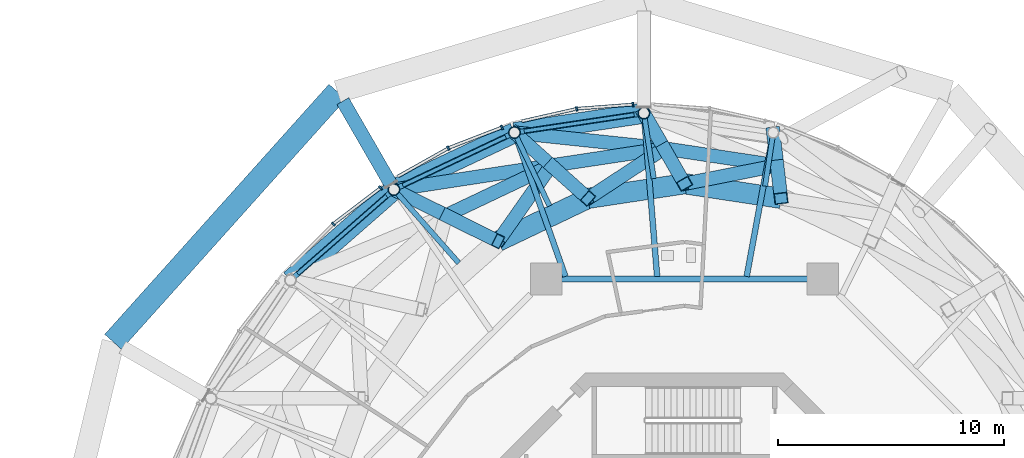
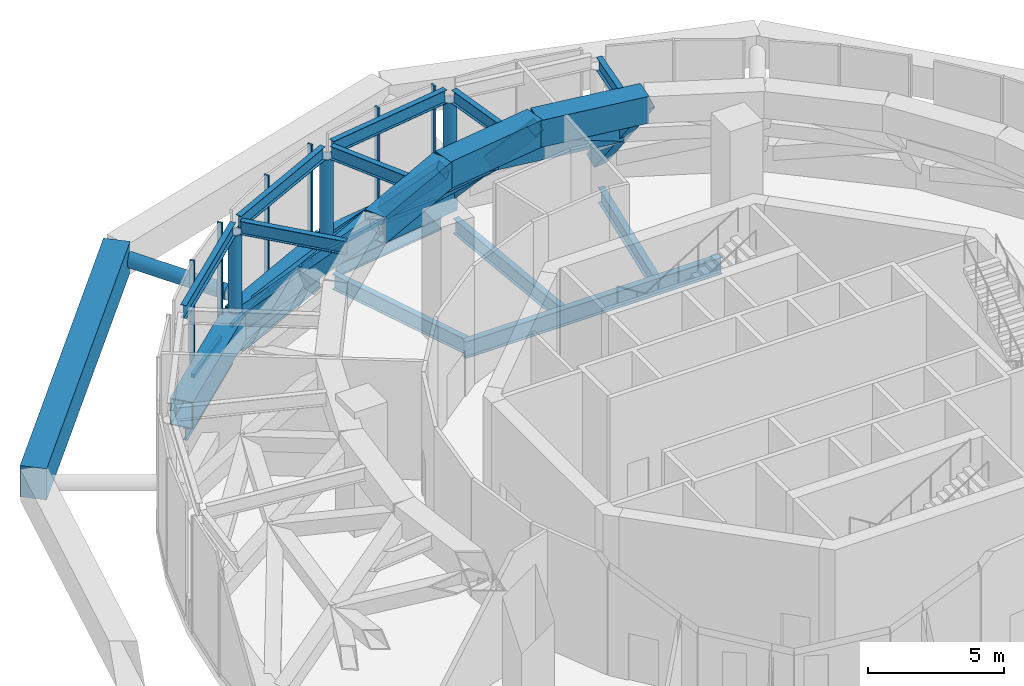
# One storey, part 8 of 22: 36 beams, 16 members, 6 elements without a shape of their own.
"""IFC4 building model written with IfcOpenShell, lengths in metres."""

from ifc_helpers import new_model, si_unit, direction, frame, origin, origin_2d, place, context, subcontext, project, spatial, rectangle, hollow_rectangle, hollow_circle, i_section, extrude, material, layer, layer_set, material_profile, profile_set, type_object, element, aggregate, save


model = new_model("IFC4")

# Units and contexts
model_context = context("Model", 3, precision=1e-05, world=origin(), true_north=direction((0.0, 1.0)))
body_context = subcontext(model_context, "Body", "Model", "MODEL_VIEW")
ifc_project = project(units=[si_unit("LENGTHUNIT", "METRE"), si_unit("AREAUNIT", "SQUARE_METRE"), si_unit("VOLUMEUNIT", "CUBIC_METRE"), si_unit("PLANEANGLEUNIT", "RADIAN"), si_unit("MASSUNIT", "GRAM", prefix="KILO")], contexts=[model_context])

# Site, building, storey
site_placement = place(None, origin())
site = spatial("IfcSite", under=ifc_project, at=site_placement, CompositionType="ELEMENT")
building_placement = place(site_placement, origin())
building = spatial("IfcBuilding", under=site, at=building_placement, Name="Nagisa Residences", CompositionType="ELEMENT")
storey_placement = place(building_placement, frame((0.0, 0.0, 310.300048828125)))
storey = spatial("IfcBuildingStorey", under=building, at=storey_placement, Name="L77", CompositionType="ELEMENT", Elevation=310.300048828125)

# Beams
ifc_material_1 = material(Name="Steel ASTM A572 Gr 50", Category="steel")
ifc_material_profile_1 = material_profile(ifc_material_1, hollow_rectangle(XDim=0.60009765625, YDim=0.60009765625, WallThickness=0.034912109375, at=origin_2d()), Name="BX 600x600x35")
ifc_profile_set_1 = profile_set([ifc_material_profile_1], Name="Steel ASTM A572 Gr 50")
beam_type_1 = type_object("IfcBeamType", Name="Belt chord 6 BX 600x600x35", PredefinedType="BEAM", material=ifc_profile_set_1)
for number, where, z_axis, x_axis, name in (
    (1, (4.097900390625, 19.807373046875, 2.64990234375), (-0.988820193793, 0.149112790691, 0.0), (-0.149112790691, -0.988820193793, 0.0), "beam:L77:bt6m06"),
    (2, (-0.89990234375, 20.56103515625, 2.64990234375), (-0.988820193793, -0.149112790691, 0.0), (0.149112790691, -0.988820193793, 0.0), "beam:L77:bt6m07"),
):
    element("IfcBeam", number, at=place(storey_placement, frame(where, z_axis=z_axis, x_axis=x_axis)), inside=storey, type_object=beam_type_1, Name=name, PredefinedType="BEAM", context=body_context, shape_type="SweptSolid", body=[
        extrude(hollow_rectangle(XDim=0.60009765625, YDim=0.60009765625, WallThickness=0.034912109375, at=origin_2d()), origin(), (0.0, 0.0, 1.0), 5.05419921875),
    ])
beam_1_placement = place(storey_placement, frame((-5.897705078125, 19.807373046875, 2.64990234375), z_axis=(-0.903462807489, -0.428666485143, 0.0), x_axis=(0.428666485143, -0.903462807489, 0.0)))
element("IfcBeam", 3, at=beam_1_placement, inside=storey, type_object=beam_type_1, Name="beam:L77:bt6m08", PredefinedType="BEAM", context=body_context, shape_type="SweptSolid", body=[
    extrude(hollow_rectangle(XDim=0.60009765625, YDim=0.60009765625, WallThickness=0.034912109375, at=origin_2d()), origin(), (0.0, 0.0, 1.0), 5.15478515625),
])
ifc_material_2 = material(Name="Steel ASTM A572 Gr 50", Category="steel")
ifc_material_profile_2 = material_profile(ifc_material_2, hollow_rectangle(XDim=0.89990234375, YDim=1.199951171875, WallThickness=0.0400390625, at=origin_2d()), Name="BX 900x1200x40")
ifc_profile_set_2 = profile_set([ifc_material_profile_2], Name="Steel ASTM A572 Gr 50")
beam_type_2 = type_object("IfcBeamType", Name="Belt chord 6 BX 900x1200x40", PredefinedType="BEAM", material=ifc_profile_set_2)
beam_2_placement = place(storey_placement, frame((4.2705078125, 18.3525390625, 4.699951171875), z_axis=(-0.988701292906, 0.149899144111, 0.0), x_axis=(-0.149899144111, -0.988701292906, 0.0)))
element("IfcBeam", 4, at=beam_2_placement, inside=storey, type_object=beam_type_2, Name="beam:L77:bt6t06", PredefinedType="BEAM", context=body_context, shape_type="SweptSolid", body=[
    extrude(hollow_rectangle(XDim=0.89990234375, YDim=1.199951171875, WallThickness=0.0400390625, at=origin_2d()), origin(), (0.0, 0.0, 1.0), 4.3193359375),
])
beam_3_placement = place(storey_placement, frame((-1.800048828125, 22.122314453125, 0.599853515625), z_axis=(-0.988902301615, -0.148567283948, 0.0), x_axis=(0.148567283948, -0.988902301615, 0.0)))
element("IfcBeam", 5, at=beam_3_placement, inside=storey, type_object=beam_type_2, Name="beam:L77:bt6b07", PredefinedType="BEAM", context=body_context, shape_type="SweptSolid", body=[
    extrude(hollow_rectangle(XDim=0.89990234375, YDim=1.199951171875, WallThickness=0.0400390625, at=origin_2d()), origin(), (0.0, 0.0, 1.0), 5.789306640625),
])
beam_4_placement = place(storey_placement, frame((0.0, 19.0, 4.699951171875), z_axis=(-0.988701292906, -0.149899144111, 0.0), x_axis=(0.149899144111, -0.988701292906, 0.0)))
element("IfcBeam", 6, at=beam_4_placement, inside=storey, type_object=beam_type_2, Name="beam:L77:bt6t07", PredefinedType="BEAM", context=body_context, shape_type="SweptSolid", body=[
    extrude(hollow_rectangle(XDim=0.89990234375, YDim=1.199951171875, WallThickness=0.0400390625, at=origin_2d()), origin(), (0.0, 0.0, 1.0), 4.3193359375),
])
beam_5_placement = place(storey_placement, frame((-7.525146484375, 21.26220703125, 0.599853515625), z_axis=(-0.904104817547, -0.427310752134, 0.0), x_axis=(0.427310752134, -0.904104817547, 0.0)))
element("IfcBeam", 7, at=beam_5_placement, inside=storey, type_object=beam_type_2, Name="beam:L77:bt6b08", PredefinedType="BEAM", context=body_context, shape_type="SweptSolid", body=[
    extrude(hollow_rectangle(XDim=0.89990234375, YDim=1.199951171875, WallThickness=0.0400390625, at=origin_2d()), origin(), (0.0, 0.0, 1.0), 5.90087890625),
])
beam_6_placement = place(storey_placement, frame((-4.2705078125, 18.3525390625, 4.699951171875), z_axis=(-0.902600371107, -0.430479465337, 0.0), x_axis=(0.430479465337, -0.902600371107, 0.0)))
element("IfcBeam", 8, at=beam_6_placement, inside=storey, type_object=beam_type_2, Name="beam:L77:bt6t08", PredefinedType="BEAM", context=body_context, shape_type="SweptSolid", body=[
    extrude(hollow_rectangle(XDim=0.89990234375, YDim=1.199951171875, WallThickness=0.0400390625, at=origin_2d()), origin(), (0.0, 0.0, 1.0), 4.408935546875),
])
beam_7_placement = place(storey_placement, frame((-12.860107421875, 18.74072265625, 0.599853515625), z_axis=(-0.752368013949, -0.658743023938, 0.0), x_axis=(0.658743023938, -0.752368013949, 0.0)))
element("IfcBeam", 9, at=beam_7_placement, inside=storey, type_object=beam_type_2, Name="beam:L77:bt6b09", PredefinedType="BEAM", context=body_context, shape_type="SweptSolid", body=[
    extrude(hollow_rectangle(XDim=0.89990234375, YDim=1.199951171875, WallThickness=0.0400390625, at=origin_2d()), origin(), (0.0, 0.0, 1.0), 6.0888671875),
])
ifc_material_3 = material(Name="Steel ASTM A572 Gr 50", Category="steel")
ifc_material_profile_3 = material_profile(ifc_material_3, hollow_rectangle(XDim=0.60009765625, YDim=0.60009765625, WallThickness=0.034912109375, at=origin_2d()), Name="BX 600x600x35")
ifc_profile_set_3 = profile_set([ifc_material_profile_3], Name="Steel ASTM A572 Gr 50")
beam_type_3 = type_object("IfcBeamType", Name="Belt diagonal 6 BX 600x600x35", PredefinedType="BEAM", material=ifc_profile_set_3)
for number, where, z_axis, x_axis, name in (
    (10, (3.925048828125, 21.26220703125, 0.599853515625), (0.068598804864, -0.577373274275, 0.813593452607), (0.993015725956, 0.11798206645, 0.0), "beam:L77:bt6la06"),
    (11, (4.097900390625, 19.807373046875, 2.64990234375), (0.068502368885, -0.577377109174, 0.813598856476), (0.993035236117, 0.117817739878, 0.0), "beam:L77:bt6ua06"),
):
    element("IfcBeam", number, at=place(storey_placement, frame(where, z_axis=z_axis, x_axis=x_axis)), inside=storey, type_object=beam_type_3, Name=name, PredefinedType="BEAM", context=body_context, shape_type="SweptSolid", body=[
        extrude(hollow_rectangle(XDim=0.60009765625, YDim=0.60009765625, WallThickness=0.034912109375, at=origin_2d()), origin(), (0.0, 0.0, 1.0), 2.519775390625),
    ])
beam_8_placement = place(storey_placement, frame((4.097900390625, 19.807373046875, 2.64990234375), z_axis=(-0.880763154021, -0.173528969339, 0.440617706543), x_axis=(0.193305074766, -0.981138699711, 0.0)))
element("IfcBeam", 12, at=beam_8_placement, inside=storey, type_object=beam_type_3, Name="beam:L77:bt6ub06", PredefinedType="BEAM", context=body_context, shape_type="SweptSolid", body=[
    extrude(hollow_rectangle(XDim=0.60009765625, YDim=0.60009765625, WallThickness=0.034912109375, at=origin_2d()), origin(), (0.0, 0.0, 1.0), 4.652587890625),
])
beam_9_placement = place(storey_placement, frame((-1.800048828125, 22.122314453125, 0.599853515625), z_axis=(0.329775829006, -0.571987096961, 0.751051704954), x_axis=(0.866327636169, 0.499476152393, 0.0)))
element("IfcBeam", 13, at=beam_9_placement, inside=storey, type_object=beam_type_3, Name="beam:L77:bt6la07", PredefinedType="BEAM", context=body_context, shape_type="SweptSolid", body=[
    extrude(hollow_rectangle(XDim=0.60009765625, YDim=0.60009765625, WallThickness=0.034912109375, at=origin_2d()), origin(), (0.0, 0.0, 1.0), 2.7294921875),
])
beam_10_placement = place(storey_placement, frame((-7.525146484375, 21.26220703125, 0.599853515625), z_axis=(0.950465750606, -0.100590987793, 0.294102550313), x_axis=(0.105245593113, 0.994446260554, 0.0)))
element("IfcBeam", 14, at=beam_10_placement, inside=storey, type_object=beam_type_3, Name="beam:L77:bt6lb07", PredefinedType="BEAM", context=body_context, shape_type="SweptSolid", body=[
    extrude(hollow_rectangle(XDim=0.60009765625, YDim=0.60009765625, WallThickness=0.034912109375, at=origin_2d()), origin(), (0.0, 0.0, 1.0), 6.970458984375),
])
beam_11_placement = place(storey_placement, frame((-0.89990234375, 20.56103515625, 2.64990234375), z_axis=(0.329712977994, -0.571943782228, 0.751112283292), x_axis=(0.866352462258, 0.499433089753, 0.0)))
element("IfcBeam", 15, at=beam_11_placement, inside=storey, type_object=beam_type_3, Name="beam:L77:bt6ua07", PredefinedType="BEAM", context=body_context, shape_type="SweptSolid", body=[
    extrude(hollow_rectangle(XDim=0.60009765625, YDim=0.60009765625, WallThickness=0.034912109375, at=origin_2d()), origin(), (0.0, 0.0, 1.0), 2.729248046875),
])
beam_12_placement = place(storey_placement, frame((-0.89990234375, 20.56103515625, 2.64990234375), z_axis=(-0.745513312146, -0.488476997079, 0.453431499499), x_axis=(0.548055491194, -0.836441975616, 0.0)))
element("IfcBeam", 16, at=beam_12_placement, inside=storey, type_object=beam_type_3, Name="beam:L77:bt6ub07", PredefinedType="BEAM", context=body_context, shape_type="SweptSolid", body=[
    extrude(hollow_rectangle(XDim=0.60009765625, YDim=0.60009765625, WallThickness=0.034912109375, at=origin_2d()), origin(), (0.0, 0.0, 1.0), 4.521240234375),
])
beam_13_placement = place(storey_placement, frame((-7.525146484375, 21.26220703125, 0.599853515625), z_axis=(0.543453286014, -0.485814301134, 0.684575043903), x_axis=(0.666464602953, 0.74553667449, 0.0)))
element("IfcBeam", 17, at=beam_13_placement, inside=storey, type_object=beam_type_3, Name="beam:L77:bt6la08", PredefinedType="BEAM", context=body_context, shape_type="SweptSolid", body=[
    extrude(hollow_rectangle(XDim=0.60009765625, YDim=0.60009765625, WallThickness=0.034912109375, at=origin_2d()), origin(), (0.0, 0.0, 1.0), 2.99462890625),
])
beam_14_placement = place(storey_placement, frame((-12.860107421875, 18.74072265625, 0.599853515625), z_axis=(0.949085784725, 0.145401353302, 0.279454145955), x_axis=(-0.151434655495, 0.988467270634, 0.0)))
element("IfcBeam", 18, at=beam_14_placement, inside=storey, type_object=beam_type_3, Name="beam:L77:bt6lb08", PredefinedType="BEAM", context=body_context, shape_type="SweptSolid", body=[
    extrude(hollow_rectangle(XDim=0.60009765625, YDim=0.60009765625, WallThickness=0.034912109375, at=origin_2d()), origin(), (0.0, 0.0, 1.0), 7.3359375),
])
beam_15_placement = place(storey_placement, frame((-5.897705078125, 19.807373046875, 2.64990234375), z_axis=(0.543395834102, -0.485835825269, 0.684605374187), x_axis=(0.666520176939, 0.745486990988, 0.0)))
element("IfcBeam", 19, at=beam_15_placement, inside=storey, type_object=beam_type_3, Name="beam:L77:bt6ua08", PredefinedType="BEAM", context=body_context, shape_type="SweptSolid", body=[
    extrude(hollow_rectangle(XDim=0.60009765625, YDim=0.60009765625, WallThickness=0.034912109375, at=origin_2d()), origin(), (0.0, 0.0, 1.0), 2.994384765625),
])
beam_16_placement = place(storey_placement, frame((-5.897705078125, 19.807373046875, 2.64990234375), z_axis=(-0.513592368919, -0.732035703411, 0.447600946737), x_axis=(0.818618153609, -0.574338156996, 0.0)))
element("IfcBeam", 20, at=beam_16_placement, inside=storey, type_object=beam_type_3, Name="beam:L77:bt6ub08", PredefinedType="BEAM", context=body_context, shape_type="SweptSolid", body=[
    extrude(hollow_rectangle(XDim=0.60009765625, YDim=0.60009765625, WallThickness=0.034912109375, at=origin_2d()), origin(), (0.0, 0.0, 1.0), 4.580078125),
])
for number, where, z_axis, x_axis, name in (
    (21, (-12.860107421875, 18.74072265625, 0.599853515625), (0.700692521803, -0.347452063872, 0.623142883455), (0.444250739414, 0.895902494991, 0.0), "beam:L77:bt6la09"),
    (22, (-10.554931640625, 17.59765625, 2.64990234375), (0.700654743649, -0.347470131317, 0.623175286773), (0.444288506896, 0.895883766255, 0.0), "beam:L77:bt6ua09"),
):
    element("IfcBeam", number, at=place(storey_placement, frame(where, z_axis=z_axis, x_axis=x_axis)), inside=storey, type_object=beam_type_3, Name=name, PredefinedType="BEAM", context=body_context, shape_type="SweptSolid", body=[
        extrude(hollow_rectangle(XDim=0.60009765625, YDim=0.60009765625, WallThickness=0.034912109375, at=origin_2d()), origin(), (0.0, 0.0, 1.0), 3.289794921875),
    ])

# Curtain wall, member
ifc_material_4 = material(Name="Aluminium curtain wall system", Category="aluminium")
ifc_layer = layer(ifc_material_4, 0.159912109375)
ifc_layer_set = layer_set([ifc_layer], Name="CW2 CURTAIN WALL")
curtain_wall_type = type_object("IfcCurtainWallType", Name="CW2 CURTAIN WALL", PredefinedType="NOTDEFINED", material=ifc_layer_set)
curtain_wall_1_placement = place(storey_placement, origin())
curtain_wall_1 = element("IfcCurtainWall", 23, at=curtain_wall_1_placement, inside=storey, type_object=curtain_wall_type, Name="cw:CW2:L77:12", PredefinedType="NOTDEFINED")
ifc_material_5 = material(Name="Aluminium", Category="aluminium")
ifc_material_profile_4 = material_profile(ifc_material_5, rectangle(XDim=0.199951171875, YDim=0.080078125, at=origin_2d()), Name="CW2 MULLION 200x80")
ifc_profile_set_4 = profile_set([ifc_material_profile_4], Name="Aluminium")
member_type_1 = type_object("IfcMemberType", Name="CW2 MULLION 200x80", PredefinedType="MULLION", material=ifc_profile_set_4)
member_1_placement = place(storey_placement, frame((-2.28271484375, 22.506103515625, 0.0), z_axis=(0.0, 0.0, 1.0), x_axis=(0.074377355493, -0.997230168512, 0.0)))
member_1 = element("IfcMember", 24, at=member_1_placement, type_object=member_type_1, Name="CW2 mullion", PredefinedType="MULLION", context=body_context, shape_type="SweptSolid", body=[
    extrude(rectangle(XDim=0.199951171875, YDim=0.080078125, at=origin_2d()), origin(), (0.0, 0.0, 1.0), 5.300048828125),
])

curtain_wall_2_placement = place(storey_placement, origin())
curtain_wall_2 = element("IfcCurtainWall", 25, at=curtain_wall_2_placement, inside=storey, type_object=curtain_wall_type, Name="cw:CW2:L77:13", PredefinedType="NOTDEFINED")
member_2_placement = place(storey_placement, frame((-4.77392578125, 22.315185546875, 0.0), z_axis=(0.0, 0.0, 1.0), x_axis=(0.2207639201, -0.975327274089, 0.0)))
member_2 = element("IfcMember", 26, at=member_2_placement, type_object=member_type_1, Name="CW2 mullion", PredefinedType="MULLION", context=body_context, shape_type="SweptSolid", body=[
    extrude(rectangle(XDim=0.199951171875, YDim=0.080078125, at=origin_2d()), origin(), (0.0, 0.0, 1.0), 5.300048828125),
])

curtain_wall_3_placement = place(storey_placement, origin())
curtain_wall_3 = element("IfcCurtainWall", 27, at=curtain_wall_3_placement, inside=storey, type_object=curtain_wall_type, Name="cw:CW2:L77:14", PredefinedType="NOTDEFINED")
member_3_placement = place(storey_placement, frame((-8.082763671875, 21.494140625, 0.0), z_axis=(0.0, 0.0, 1.0), x_axis=(0.360327770268, -0.932825759707, 0.0)))
member_3 = element("IfcMember", 28, at=member_3_placement, type_object=member_type_1, Name="CW2 mullion", PredefinedType="MULLION", context=body_context, shape_type="SweptSolid", body=[
    extrude(rectangle(XDim=0.199951171875, YDim=0.080078125, at=origin_2d()), origin(), (0.0, 0.0, 1.0), 5.300048828125),
])

curtain_wall_4_placement = place(storey_placement, origin())
curtain_wall_4 = element("IfcCurtainWall", 29, at=curtain_wall_4_placement, inside=storey, type_object=curtain_wall_type, Name="cw:CW2:L77:15", PredefinedType="NOTDEFINED")
member_4_placement = place(storey_placement, frame((-10.4521484375, 20.57373046875, 0.0), z_axis=(0.0, 0.0, 1.0), x_axis=(0.489376918501, -0.872072377523, 0.0)))
member_4 = element("IfcMember", 30, at=member_4_placement, type_object=member_type_1, Name="CW2 mullion", PredefinedType="MULLION", context=body_context, shape_type="SweptSolid", body=[
    extrude(rectangle(XDim=0.199951171875, YDim=0.080078125, at=origin_2d()), origin(), (0.0, 0.0, 1.0), 5.300048828125),
])

curtain_wall_5_placement = place(storey_placement, origin())
curtain_wall_5 = element("IfcCurtainWall", 31, at=curtain_wall_5_placement, inside=storey, type_object=curtain_wall_type, Name="cw:CW2:L77:16", PredefinedType="NOTDEFINED")
member_5_placement = place(storey_placement, frame((-13.45166015625, 18.8134765625, 0.0), z_axis=(0.0, 0.0, 1.0), x_axis=(0.605255421737, -0.79603132756, 0.0)))
member_5 = element("IfcMember", 32, at=member_5_placement, type_object=member_type_1, Name="CW2 mullion", PredefinedType="MULLION", context=body_context, shape_type="SweptSolid", body=[
    extrude(rectangle(XDim=0.199951171875, YDim=0.080078125, at=origin_2d()), origin(), (0.0, 0.0, 1.0), 5.300048828125),
])

curtain_wall_6_placement = place(storey_placement, origin())
curtain_wall_6 = element("IfcCurtainWall", 33, at=curtain_wall_6_placement, inside=storey, type_object=curtain_wall_type, Name="cw:CW2:L77:17", PredefinedType="NOTDEFINED")
member_6_placement = place(storey_placement, frame((-15.5419921875, 17.21826171875, 0.0), z_axis=(0.0, 0.0, 1.0), x_axis=(0.706376885714, -0.707835924016, 0.0)))
member_6 = element("IfcMember", 34, at=member_6_placement, type_object=member_type_1, Name="CW2 mullion", PredefinedType="MULLION", context=body_context, shape_type="SweptSolid", body=[
    extrude(rectangle(XDim=0.199951171875, YDim=0.080078125, at=origin_2d()), origin(), (0.0, 0.0, 1.0), 5.300048828125),
])
aggregate(curtain_wall_6, [member_6])

# Member
ifc_material_6 = material(Name="Aluminium", Category="aluminium")
ifc_material_profile_5 = material_profile(ifc_material_6, rectangle(XDim=0.139892578125, YDim=0.179931640625, at=origin_2d()), Name="CW2 TRANSOM 140x180")
ifc_profile_set_5 = profile_set([ifc_material_profile_5], Name="Aluminium")
member_type_2 = type_object("IfcMemberType", Name="CW2 TRANSOM 140x180", PredefinedType="USERDEFINED", material=ifc_profile_set_5)
member_7_placement = place(storey_placement, frame((-2.242919921875, 22.509033203125, 0.08984375), z_axis=(-0.99722914645, -0.074391057731, 0.0), x_axis=(0.074391057731, -0.99722914645, 0.0)))
member_7 = element("IfcMember", 35, at=member_7_placement, type_object=member_type_2, Name="CW2 transom", ObjectType="TRANSOM", PredefinedType="USERDEFINED", context=body_context, shape_type="SweptSolid", body=[
    extrude(rectangle(XDim=0.139892578125, YDim=0.179931640625, at=origin_2d()), origin(), (0.0, 0.0, 1.0), 2.510498046875),
])

aggregate(curtain_wall_1, [member_1, member_7])

member_8_placement = place(storey_placement, frame((-4.73486328125, 22.323974609375, 0.08984375), z_axis=(-0.975340398222, -0.220705930136, 0.0), x_axis=(0.220705930136, -0.975340398222, 0.0)))
member_8 = element("IfcMember", 36, at=member_8_placement, type_object=member_type_2, Name="CW2 transom", ObjectType="TRANSOM", PredefinedType="USERDEFINED", context=body_context, shape_type="SweptSolid", body=[
    extrude(rectangle(XDim=0.139892578125, YDim=0.179931640625, at=origin_2d()), origin(), (0.0, 0.0, 1.0), 2.525390625),
])

aggregate(curtain_wall_2, [member_2, member_8])

member_9_placement = place(storey_placement, frame((-8.04541015625, 21.508544921875, 0.08984375), z_axis=(-0.93282223778, -0.360336887792, 0.0), x_axis=(0.360336887792, -0.93282223778, 0.0)))
member_9 = element("IfcMember", 37, at=member_9_placement, type_object=member_type_2, Name="CW2 transom", ObjectType="TRANSOM", PredefinedType="USERDEFINED", context=body_context, shape_type="SweptSolid", body=[
    extrude(rectangle(XDim=0.139892578125, YDim=0.179931640625, at=origin_2d()), origin(), (0.0, 0.0, 1.0), 2.5537109375),
])

aggregate(curtain_wall_3, [member_3, member_9])

member_10_placement = place(storey_placement, frame((-10.417236328125, 20.59326171875, 0.08984375), z_axis=(-0.872052877201, -0.489411666561, 0.0), x_axis=(0.489411666561, -0.872052877201, 0.0)))
member_10 = element("IfcMember", 38, at=member_10_placement, type_object=member_type_2, Name="CW2 transom", ObjectType="TRANSOM", PredefinedType="USERDEFINED", context=body_context, shape_type="SweptSolid", body=[
    extrude(rectangle(XDim=0.139892578125, YDim=0.179931640625, at=origin_2d()), origin(), (0.0, 0.0, 1.0), 2.593017578125),
])

aggregate(curtain_wall_4, [member_4, member_10])

member_11_placement = place(storey_placement, frame((-13.419677734375, 18.837646484375, 0.08984375), z_axis=(-0.796055284084, -0.605223912847, 0.0), x_axis=(0.605223912847, -0.796055284084, 0.0)))
member_11 = element("IfcMember", 39, at=member_11_placement, type_object=member_type_2, Name="CW2 transom", ObjectType="TRANSOM", PredefinedType="USERDEFINED", context=body_context, shape_type="SweptSolid", body=[
    extrude(rectangle(XDim=0.139892578125, YDim=0.179931640625, at=origin_2d()), origin(), (0.0, 0.0, 1.0), 2.640625),
])

aggregate(curtain_wall_5, [member_5, member_11])

# Members
ifc_material_7 = material(Name="Concrete C80", Category="concrete")
ifc_material_profile_6 = material_profile(ifc_material_7, rectangle(XDim=1.0, YDim=1.39990234375, at=origin_2d()), Name="C80 1000x1400")
ifc_profile_set_6 = profile_set([ifc_material_profile_6], Name="Concrete C80")
member_type_3 = type_object("IfcMemberType", Name="Cage ring 6 C80 1000x1400", PredefinedType="CHORD", material=ifc_profile_set_6)
member_12_placement = place(storey_placement, frame((-15.360107421875, 23.07080078125, 1.89990234375), z_axis=(-0.66765456372, -0.744471210688, 0.0), x_axis=(0.744471210688, -0.66765456372, 0.0)))
element("IfcMember", 40, at=member_12_placement, inside=storey, type_object=member_type_3, Name="beam:L77:cg6r105", PredefinedType="CHORD", context=body_context, shape_type="SweptSolid", body=[
    extrude(rectangle(XDim=1.0, YDim=1.39990234375, at=origin_2d()), origin(), (0.0, 0.0, 1.0), 14.86767578125),
])
ifc_material_8 = material(Name="Steel ASTM A572 Gr 65", Category="steel")
ifc_material_profile_7 = material_profile(ifc_material_8, hollow_circle(Radius=0.304931640625, WallThickness=0.02490234375, at=origin_2d()), Name="CHS 610x25")
ifc_profile_set_7 = profile_set([ifc_material_profile_7], Name="Steel ASTM A572 Gr 65")
member_type_4 = type_object("IfcMemberType", Name="Cage strut CHS 610x25", PredefinedType="STRUT", material=ifc_profile_set_7)
member_13_placement = place(storey_placement, frame((-15.1201171875, 22.6552734375, 1.89990234375), z_axis=(0.499997854429, -0.866026642527, 0.0), x_axis=(0.866026642527, 0.499997854429, 0.0)))
element("IfcMember", 41, at=member_13_placement, inside=storey, type_object=member_type_4, Name="mem:L77:cg6tie05", PredefinedType="STRUT", context=body_context, shape_type="SweptSolid", body=[
    extrude(hollow_circle(Radius=0.304931640625, WallThickness=0.02490234375, at=origin_2d()), origin(), (0.0, 0.0, 1.0), 4.24609375),
])

# Beams
ifc_material_9 = material(Name="Steel ASTM A572 Gr 50", Category="steel")
ifc_material_profile_8 = material_profile(ifc_material_9, i_section(OverallWidth=0.22802734375, OverallDepth=0.60302734375, WebThickness=0.010498046875, FlangeThickness=0.014892578125, at=origin_2d()), Name="W610x101")
ifc_profile_set_8 = profile_set([ifc_material_profile_8], Name="Steel ASTM A572 Gr 50")
beam_type_4 = type_object("IfcBeamType", Name="Garden edge beam W610x101", PredefinedType="BEAM", material=ifc_profile_set_8)
beam_17_placement = place(storey_placement, frame((-2.031494140625, 22.087646484375, 4.99853515625), z_axis=(-0.988903348477, -0.148560315597, 0.0), x_axis=(0.148560315597, -0.988903348477, 0.0)))
element("IfcBeam", 42, at=beam_17_placement, inside=storey, type_object=beam_type_4, Name="beam:L77:bt6ge07", PredefinedType="BEAM", context=body_context, shape_type="SweptSolid", body=[
    extrude(i_section(OverallWidth=0.22802734375, OverallDepth=0.60302734375, WebThickness=0.010498046875, FlangeThickness=0.014892578125, at=origin_2d()), origin(), (0.0, 0.0, 1.0), 5.3212890625),
])
beam_18_placement = place(storey_placement, frame((-7.736572265625, 21.162353515625, 4.99853515625), z_axis=(-0.904103517773, -0.427313502187, 0.0), x_axis=(0.427313502187, -0.904103517773, 0.0)))
element("IfcBeam", 43, at=beam_18_placement, inside=storey, type_object=beam_type_4, Name="beam:L77:bt6ge08", PredefinedType="BEAM", context=body_context, shape_type="SweptSolid", body=[
    extrude(i_section(OverallWidth=0.22802734375, OverallDepth=0.60302734375, WebThickness=0.010498046875, FlangeThickness=0.014892578125, at=origin_2d()), origin(), (0.0, 0.0, 1.0), 5.432861328125),
])
beam_19_placement = place(storey_placement, frame((-13.0361328125, 18.586669921875, 4.99853515625), z_axis=(-0.752356025387, -0.658756716144, 0.0), x_axis=(0.658756716144, -0.752356025387, 0.0)))
element("IfcBeam", 44, at=beam_19_placement, inside=storey, type_object=beam_type_4, Name="beam:L77:bt6ge09", PredefinedType="BEAM", context=body_context, shape_type="SweptSolid", body=[
    extrude(i_section(OverallWidth=0.22802734375, OverallDepth=0.60302734375, WebThickness=0.010498046875, FlangeThickness=0.014892578125, at=origin_2d()), origin(), (0.0, 0.0, 1.0), 5.62109375),
])

# Members
ifc_material_10 = material(Name="Steel ASTM A572 Gr 65", Category="steel")
ifc_material_profile_9 = material_profile(ifc_material_10, hollow_circle(Radius=0.25390625, WallThickness=0.02001953125, at=origin_2d()), Name="CHS 508x20")
ifc_profile_set_9 = profile_set([ifc_material_profile_9], Name="Steel ASTM A572 Gr 65")
member_type_5 = type_object("IfcMemberType", Name="Garden edge post CHS 508x20", PredefinedType="POST", material=ifc_profile_set_9)
for number, where, z_axis, x_axis, name in (
    (45, (-1.800048828125, 22.122314453125, 1.199951171875), (0.0, 0.0, 1.0), (1.0, 0.0, 0.0), "mem:L77:gp607"),
    (46, (-7.525146484375, 21.26220703125, 1.199951171875), (0.0, 0.0, 1.0), (1.0, 0.0, 0.0), "mem:L77:gp608"),
    (47, (-12.860107421875, 18.74072265625, 1.199951171875), (0.0, 0.0, 1.0), (1.0, 0.0, 0.0), "mem:L77:gp609"),
):
    element("IfcMember", number, at=place(storey_placement, frame(where, z_axis=z_axis, x_axis=x_axis)), inside=storey, type_object=member_type_5, Name=name, PredefinedType="POST", context=body_context, shape_type="SweptSolid", body=[
        extrude(hollow_circle(Radius=0.25390625, WallThickness=0.02001953125, at=origin_2d()), origin(), (0.0, 0.0, 1.0), 3.4970703125),
    ])

# Beams
ifc_material_11 = material(Name="Steel ASTM A572 Gr 50", Category="steel")
ifc_material_profile_10 = material_profile(ifc_material_11, i_section(OverallWidth=0.22802734375, OverallDepth=0.60302734375, WebThickness=0.010498046875, FlangeThickness=0.014892578125, at=origin_2d()), Name="W610x101")
ifc_profile_set_10 = profile_set([ifc_material_profile_10], Name="Steel ASTM A572 Gr 50")
beam_type_5 = type_object("IfcBeamType", Name="Garden radial beam W610x101", PredefinedType="BEAM", material=ifc_profile_set_10)
beam_20_placement = place(storey_placement, frame((3.889892578125, 21.031005859375, 4.99853515625), z_axis=(-0.149798686388, -0.988716518299, 0.0), x_axis=(0.988716518299, -0.149798686388, 0.0)))
element("IfcBeam", 48, at=beam_20_placement, inside=storey, type_object=beam_type_5, Name="beam:L77:bt6gr06", PredefinedType="BEAM", context=body_context, shape_type="SweptSolid", body=[
    extrude(i_section(OverallWidth=0.22802734375, OverallDepth=0.60302734375, WebThickness=0.010498046875, FlangeThickness=0.014892578125, at=origin_2d()), origin(), (0.0, 0.0, 1.0), 2.1611328125),
])
beam_21_placement = place(storey_placement, frame((-1.764892578125, 21.890869140625, 4.99853515625), z_axis=(0.149869837785, -0.988705735658, 0.0), x_axis=(0.988705735658, 0.149869837785, 0.0)))
element("IfcBeam", 49, at=beam_21_placement, inside=storey, type_object=beam_type_5, Name="beam:L77:bt6gr07", PredefinedType="BEAM", context=body_context, shape_type="SweptSolid", body=[
    extrude(i_section(OverallWidth=0.22802734375, OverallDepth=0.60302734375, WebThickness=0.010498046875, FlangeThickness=0.014892578125, at=origin_2d()), origin(), (0.0, 0.0, 1.0), 2.69287109375),
])
beam_22_placement = place(storey_placement, frame((-7.42431640625, 21.051025390625, 4.99853515625), z_axis=(0.430528022943, -0.902577210803, 0.0), x_axis=(0.902577210803, 0.430528022943, 0.0)))
element("IfcBeam", 50, at=beam_22_placement, inside=storey, type_object=beam_type_5, Name="beam:L77:bt6gr08", PredefinedType="BEAM", context=body_context, shape_type="SweptSolid", body=[
    extrude(i_section(OverallWidth=0.22802734375, OverallDepth=0.60302734375, WebThickness=0.010498046875, FlangeThickness=0.014892578125, at=origin_2d()), origin(), (0.0, 0.0, 1.0), 3.36328125),
])
beam_23_placement = place(storey_placement, frame((-12.705078125, 18.5654296875, 4.99853515625), z_axis=(0.662162821049, -0.74935999254, 0.0), x_axis=(0.74935999254, 0.662162821049, 0.0)))
element("IfcBeam", 51, at=beam_23_placement, inside=storey, type_object=beam_type_5, Name="beam:L77:bt6gr09", PredefinedType="BEAM", context=body_context, shape_type="SweptSolid", body=[
    extrude(i_section(OverallWidth=0.22802734375, OverallDepth=0.60302734375, WebThickness=0.010498046875, FlangeThickness=0.014892578125, at=origin_2d()), origin(), (0.0, 0.0, 1.0), 4.101806640625),
])
ifc_material_12 = material(Name="Steel ASTM A572 Gr 50", Category="steel")
ifc_material_profile_11 = material_profile(ifc_material_12, i_section(OverallWidth=0.264892578125, OverallDepth=0.7529296875, WebThickness=0.01318359375, FlangeThickness=0.01708984375, at=origin_2d()), Name="W760x147")
ifc_profile_set_11 = profile_set([ifc_material_profile_11], Name="Steel ASTM A572 Gr 50")
beam_type_6 = type_object("IfcBeamType", Name="Inner ring beam W760x147", PredefinedType="BEAM", material=ifc_profile_set_11)
beam_24_placement = place(storey_placement, frame((5.44287109375, 14.781982421875, -0.7265625), z_axis=(-1.0, 0.0, 0.0), x_axis=(0.0, -1.0, 0.0)))
element("IfcBeam", 52, at=beam_24_placement, inside=storey, type_object=beam_type_6, Name="beam:L77:ib2", PredefinedType="BEAM", context=body_context, shape_type="SweptSolid", body=[
    extrude(i_section(OverallWidth=0.264892578125, OverallDepth=0.7529296875, WebThickness=0.01318359375, FlangeThickness=0.01708984375, at=origin_2d()), origin(), (0.0, 0.0, 1.0), 10.8857421875),
])
ifc_material_13 = material(Name="Steel ASTM A572 Gr 50", Category="steel")
ifc_material_profile_12 = material_profile(ifc_material_13, i_section(OverallWidth=0.166015625, OverallDepth=0.534912109375, WebThickness=0.01025390625, FlangeThickness=0.0166015625, at=origin_2d()), Name="W530x85")
ifc_profile_set_12 = profile_set([ifc_material_profile_12], Name="Steel ASTM A572 Gr 50")
beam_type_7 = type_object("IfcBeamType", Name="Perimeter ring beam W530x85", PredefinedType="BEAM", material=ifc_profile_set_12)
beam_25_placement = place(storey_placement, frame((-2.230224609375, 22.0576171875, -0.617431640625), z_axis=(-0.98890648267, -0.148539451101, 0.0), x_axis=(0.148539451101, -0.98890648267, 0.0)))
element("IfcBeam", 53, at=beam_25_placement, inside=storey, type_object=beam_type_7, Name="beam:L77:pb07", PredefinedType="BEAM", context=body_context, shape_type="SweptSolid", body=[
    extrude(i_section(OverallWidth=0.166015625, OverallDepth=0.534912109375, WebThickness=0.01025390625, FlangeThickness=0.0166015625, at=origin_2d()), origin(), (0.0, 0.0, 1.0), 4.91943359375),
])
beam_26_placement = place(storey_placement, frame((-7.918212890625, 21.076416015625, -0.617431640625), z_axis=(-0.904115893837, -0.427287316113, 0.0), x_axis=(0.427287316113, -0.904115893837, 0.0)))
element("IfcBeam", 54, at=beam_26_placement, inside=storey, type_object=beam_type_7, Name="beam:L77:pb08", PredefinedType="BEAM", context=body_context, shape_type="SweptSolid", body=[
    extrude(i_section(OverallWidth=0.166015625, OverallDepth=0.534912109375, WebThickness=0.01025390625, FlangeThickness=0.0166015625, at=origin_2d()), origin(), (0.0, 0.0, 1.0), 5.031494140625),
])
beam_27_placement = place(storey_placement, frame((-13.186767578125, 18.45458984375, -0.617431640625), z_axis=(-0.752365189148, -0.658746250204, 0.0), x_axis=(0.658746250204, -0.752365189148, 0.0)))
element("IfcBeam", 55, at=beam_27_placement, inside=storey, type_object=beam_type_7, Name="beam:L77:pb09", PredefinedType="BEAM", context=body_context, shape_type="SweptSolid", body=[
    extrude(i_section(OverallWidth=0.166015625, OverallDepth=0.534912109375, WebThickness=0.01025390625, FlangeThickness=0.0166015625, at=origin_2d()), origin(), (0.0, 0.0, 1.0), 5.220947265625),
])
ifc_material_14 = material(Name="Steel ASTM A572 Gr 50", Category="steel")
ifc_material_profile_13 = material_profile(ifc_material_14, i_section(OverallWidth=0.2529296875, OverallDepth=0.677978515625, WebThickness=0.01171875, FlangeThickness=0.016357421875, at=origin_2d()), Name="W690x125")
ifc_profile_set_13 = profile_set([ifc_material_profile_13], Name="Steel ASTM A572 Gr 50")
beam_type_8 = type_object("IfcBeamType", Name="Radial beam W690x125", PredefinedType="BEAM", material=ifc_profile_set_13)
beam_28_placement = place(storey_placement, frame((3.83740234375, 20.787109375, -0.68896484375), z_axis=(-0.181527474356, -0.983385873426, 0.0), x_axis=(0.983385873426, -0.181527474356, 0.0)))
element("IfcBeam", 56, at=beam_28_placement, inside=storey, type_object=beam_type_8, Name="beam:L77:rb06", PredefinedType="BEAM", context=body_context, shape_type="SweptSolid", body=[
    extrude(i_section(OverallWidth=0.2529296875, OverallDepth=0.677978515625, WebThickness=0.01171875, FlangeThickness=0.016357421875, at=origin_2d()), origin(), (0.0, 0.0, 1.0), 5.99169921875),
])
beam_29_placement = place(storey_placement, frame((-1.76904296875, 21.7421875, -0.68896484375), z_axis=(0.081092569965, -0.996706574222, 0.0), x_axis=(0.996706574222, 0.081092569965, 0.0)))
element("IfcBeam", 57, at=beam_29_placement, inside=storey, type_object=beam_type_8, Name="beam:L77:rb07", PredefinedType="BEAM", context=body_context, shape_type="SweptSolid", body=[
    extrude(i_section(OverallWidth=0.2529296875, OverallDepth=0.677978515625, WebThickness=0.01171875, FlangeThickness=0.016357421875, at=origin_2d()), origin(), (0.0, 0.0, 1.0), 6.870361328125),
])
beam_30_placement = place(storey_placement, frame((-7.398193359375, 20.903564453125, -0.68896484375), z_axis=(0.333665596208, -0.942691503042, 0.0), x_axis=(0.942691503042, 0.333665596208, 0.0)))
element("IfcBeam", 58, at=beam_30_placement, inside=storey, type_object=beam_type_8, Name="beam:L77:rb08", PredefinedType="BEAM", context=body_context, shape_type="SweptSolid", body=[
    extrude(i_section(OverallWidth=0.2529296875, OverallDepth=0.677978515625, WebThickness=0.01171875, FlangeThickness=0.016357421875, at=origin_2d()), origin(), (0.0, 0.0, 1.0), 6.373046875),
])

save(model, "model.ifc")
